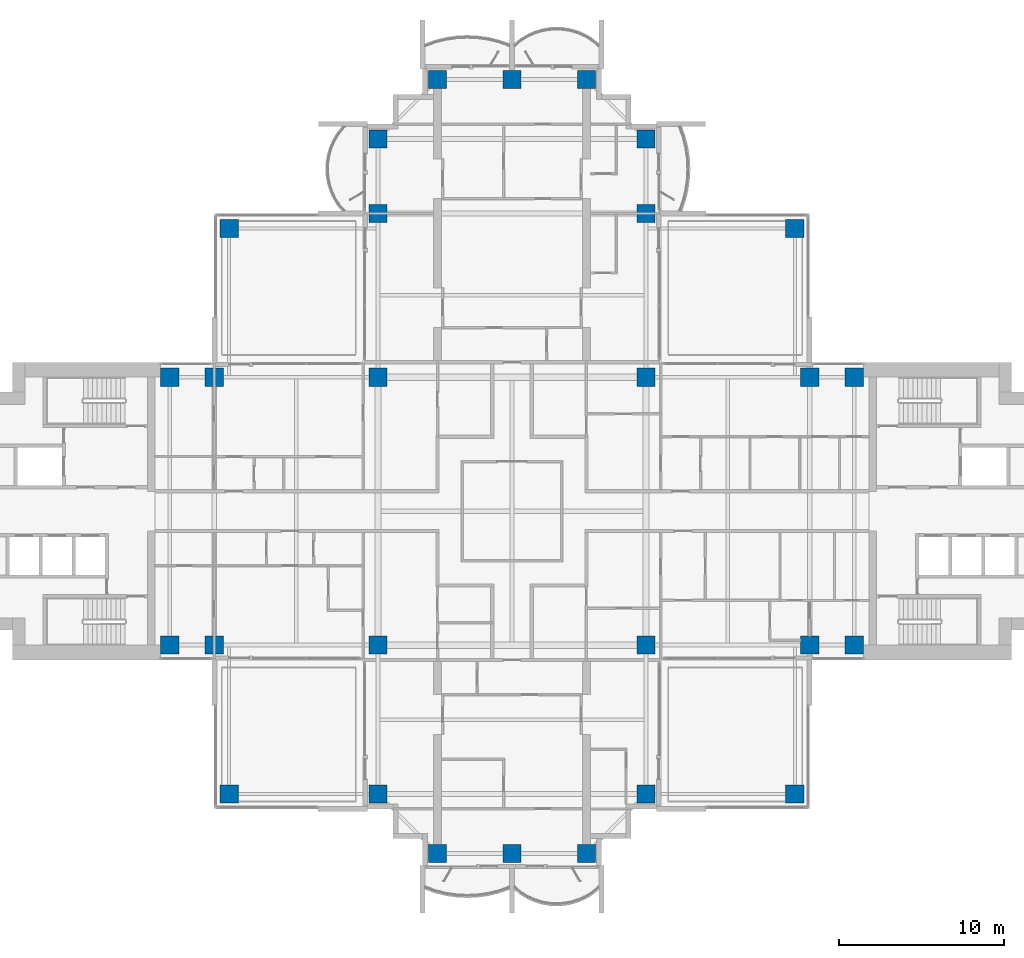
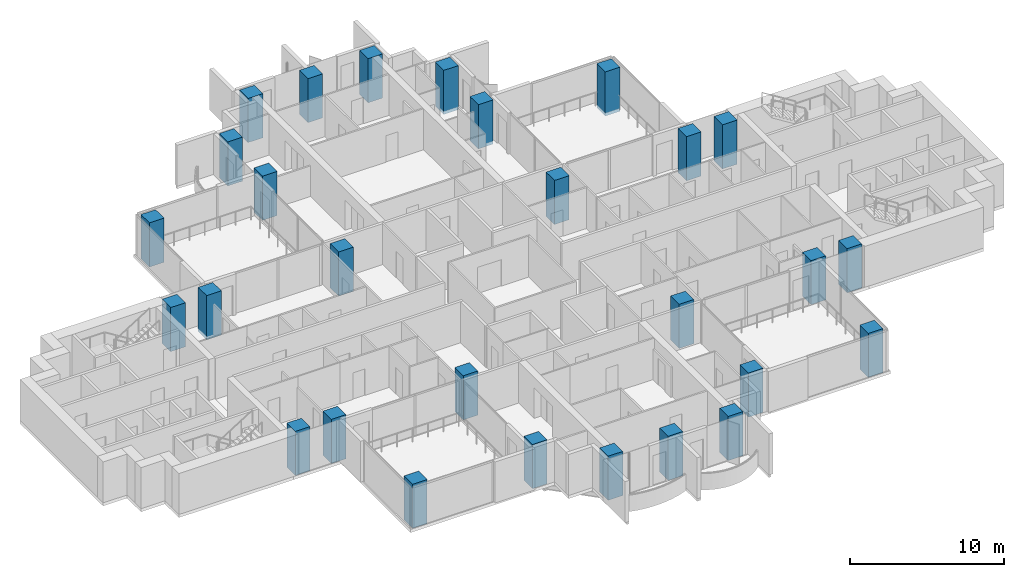
# One storey, part 1 of 19: 28 columns.
"""IFC4 building model written with IfcOpenShell, lengths in metres."""

from ifc_helpers import new_model, si_unit, direction, frame, origin, origin_2d, place, context, subcontext, project, spatial, rectangle, extrude, material, material_profile, profile_set, type_object, element, save


model = new_model("IFC4")

# Units and contexts
model_context = context("Model", 3, precision=1e-05, world=origin(), true_north=direction((0.0, 1.0)))
body_context = subcontext(model_context, "Body", "Model", "MODEL_VIEW")
ifc_project = project(units=[si_unit("LENGTHUNIT", "METRE"), si_unit("AREAUNIT", "SQUARE_METRE"), si_unit("VOLUMEUNIT", "CUBIC_METRE"), si_unit("PLANEANGLEUNIT", "RADIAN"), si_unit("MASSUNIT", "GRAM", prefix="KILO")], contexts=[model_context])

# Site, building, storey
site_placement = place(None, origin())
site = spatial("IfcSite", under=ifc_project, at=site_placement, CompositionType="ELEMENT")
building_placement = place(site_placement, origin())
building = spatial("IfcBuilding", under=site, at=building_placement, Name="Perihelion Cross Residences", CompositionType="ELEMENT")
storey_placement = place(building_placement, frame((0.0, 0.0, 112.89990234375)))
storey = spatial("IfcBuildingStorey", under=building, at=storey_placement, Name="L26", CompositionType="ELEMENT", Elevation=112.89990234375)

# Columns
ifc_material = material(Name="Concrete C60/75", Category="concrete")
ifc_material_profile = material_profile(ifc_material, rectangle(XDim=1.10009765625, YDim=1.10009765625, at=origin_2d()), Name="RC 1100x1100")
ifc_profile_set = profile_set([ifc_material_profile], Name="Concrete C60/75")
column_type = type_object("IfcColumnType", Name="Reinforced concrete column 1100x1100 C60/75", PredefinedType="COLUMN", material=ifc_profile_set)
for number, where, z_axis, x_axis, name in (
    (1, (-20.699951171875, -8.10009765625, -0.25), (0.0, 0.0, 1.0), (1.0, 0.0, 0.0), "Column C017 L26 no. 1"),
    (2, (-20.699951171875, 8.10009765625, -0.25), (0.0, 0.0, 1.0), (1.0, 0.0, 0.0), "Column C010 L26 no. 1"),
    (3, (-18.0, -8.10009765625, -0.25), (0.0, 0.0, 1.0), (1.0, 0.0, 0.0), "Column C018 L26 no. 1"),
    (4, (-18.0, 8.10009765625, -0.25), (0.0, 0.0, 1.0), (1.0, 0.0, 0.0), "Column C011 L26 no. 1"),
    (5, (-8.10009765625, -17.10009765625, -0.25), (0.0, 0.0, 1.0), (1.0, 0.0, 0.0), "Column C031 L26 no. 1"),
    (6, (-8.10009765625, -8.10009765625, -0.25), (0.0, 0.0, 1.0), (1.0, 0.0, 0.0), "Column C019 L26 no. 1"),
    (7, (-8.10009765625, 8.10009765625, -0.25), (0.0, 0.0, 1.0), (1.0, 0.0, 0.0), "Column C012 L26 no. 1"),
    (8, (-8.10009765625, 18.0, -0.25), (0.0, 0.0, 1.0), (1.0, 0.0, 0.0), "Column C006 L26 no. 1"),
    (9, (-8.10009765625, 22.5, -0.25), (0.0, 0.0, 1.0), (1.0, 0.0, 0.0), "Column C004 L26 no. 1"),
    (10, (-4.5, -20.699951171875, -0.25), (0.0, 0.0, 1.0), (1.0, 0.0, 0.0), "Column C037 L26 no. 1"),
    (11, (-4.5, 26.10009765625, -0.25), (0.0, 0.0, 1.0), (1.0, 0.0, 0.0), "Column C001 L26 no. 1"),
    (12, (0.0, -20.699951171875, -0.25), (0.0, 0.0, 1.0), (1.0, 0.0, 0.0), "Column C038 L26 no. 1"),
    (13, (0.0, 26.10009765625, -0.25), (0.0, 0.0, 1.0), (1.0, 0.0, 0.0), "Column C002 L26 no. 1"),
    (14, (4.5, -20.699951171875, -0.25), (0.0, 0.0, 1.0), (1.0, 0.0, 0.0), "Column C039 L26 no. 1"),
    (15, (4.5, 26.10009765625, -0.25), (0.0, 0.0, 1.0), (1.0, 0.0, 0.0), "Column C003 L26 no. 1"),
    (16, (8.10009765625, -17.10009765625, -0.25), (0.0, 0.0, 1.0), (1.0, 0.0, 0.0), "Column C035 L26 no. 1"),
    (17, (8.10009765625, -8.10009765625, -0.25), (0.0, 0.0, 1.0), (1.0, 0.0, 0.0), "Column C020 L26 no. 1"),
    (18, (8.10009765625, 8.10009765625, -0.25), (0.0, 0.0, 1.0), (1.0, 0.0, 0.0), "Column C014 L26 no. 1"),
    (19, (8.10009765625, 18.0, -0.25), (0.0, 0.0, 1.0), (1.0, 0.0, 0.0), "Column C007 L26 no. 1"),
    (20, (8.10009765625, 22.5, -0.25), (0.0, 0.0, 1.0), (1.0, 0.0, 0.0), "Column C005 L26 no. 1"),
    (21, (18.0, -8.10009765625, -0.25), (0.0, 0.0, 1.0), (1.0, 0.0, 0.0), "Column C021 L26 no. 1"),
    (22, (18.0, 8.10009765625, -0.25), (0.0, 0.0, 1.0), (1.0, 0.0, 0.0), "Column C015 L26 no. 1"),
    (23, (20.699951171875, -8.10009765625, -0.25), (0.0, 0.0, 1.0), (1.0, 0.0, 0.0), "Column C022 L26 no. 1"),
    (24, (20.699951171875, 8.10009765625, -0.25), (0.0, 0.0, 1.0), (1.0, 0.0, 0.0), "Column C016 L26 no. 1"),
    (25, (17.10009765625, 17.10009765625, -0.25), (0.0, 0.0, 1.0), (1.0, 0.0, 0.0), "Column C009 L26 no. 1"),
    (26, (-17.10009765625, 17.10009765625, -0.25), (0.0, 0.0, 1.0), (1.0, 0.0, 0.0), "Column C008 L26 no. 1"),
    (27, (-17.10009765625, -17.10009765625, -0.25), (0.0, 0.0, 1.0), (1.0, 0.0, 0.0), "Column C030 L26 no. 1"),
    (28, (17.10009765625, -17.10009765625, -0.25), (0.0, 0.0, 1.0), (1.0, 0.0, 0.0), "Column C036 L26 no. 1"),
):
    element("IfcColumn", number, at=place(storey_placement, frame(where, z_axis=z_axis, x_axis=x_axis)), inside=storey, type_object=column_type, Name=name, PredefinedType="COLUMN", context=body_context, shape_type="SweptSolid", body=[
        extrude(rectangle(XDim=1.10009765625, YDim=1.10009765625, at=origin_2d()), origin(), (0.0, 0.0, 1.0), 3.5),
    ])

save(model, "model.ifc")
